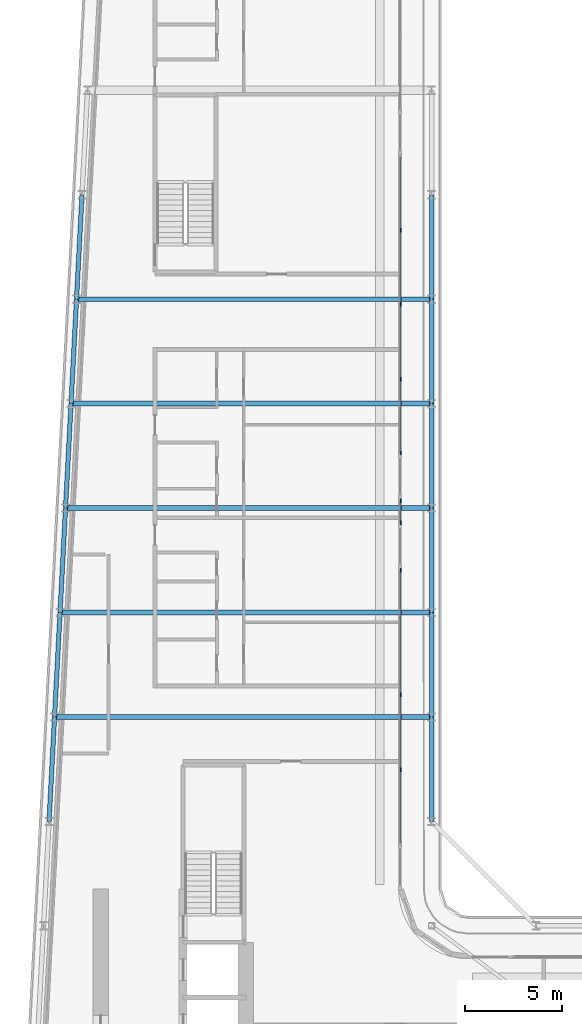
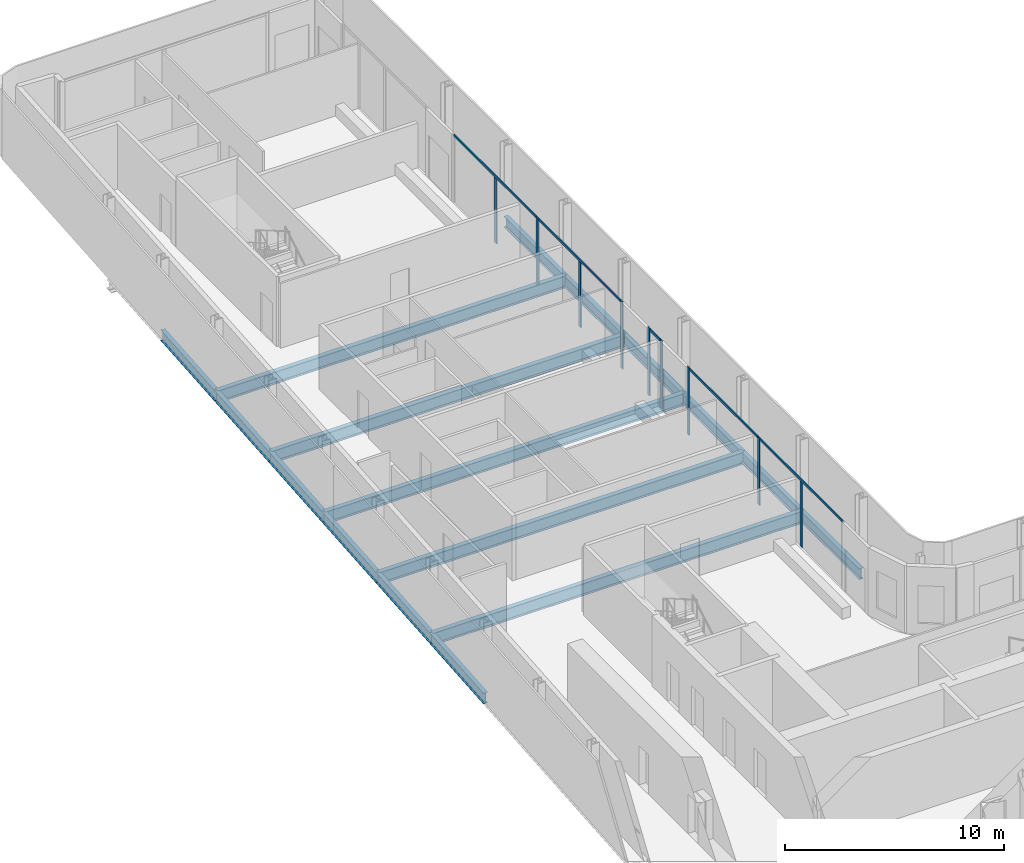
# One storey, part 7 of 27: 17 beams, 14 members, 5 elements without a shape of their own.
"""IFC4 building model written with IfcOpenShell, lengths in metres."""

import ifcopenshell
import ifcopenshell.guid

model = None  # the IFC model being written
_history = None  # IfcOwnerHistory: only IFC2X3 demands one
_inside = {}  # id of a spatial element -> (the spatial element, [elements in it])
_under = {}  # id of a project, library or spatial element -> (it, [spatial elements below it])
_declared = {}  # id of a project -> (the project, [libraries it declares])
_typed = {}  # id of a type object -> (the type object, [elements of that type])
_made_of = {}  # id of a material, layer set ... -> (it, [elements and type objects made of it])


def new_model(schema):
    """Start an empty IFC model of exactly this schema.

    Asked for "IFC4X3", IfcOpenShell would pick the latest addendum, in which some entities
    have other attributes; the version numbers below select the first issue.
    IFC2X3 requires an IfcOwnerHistory on every rooted entity: one is made here for all.
    """
    global model, _history
    if schema == "IFC4X3":
        model = ifcopenshell.file(schema_version=(4, 3, 0, 0))
    else:
        model = ifcopenshell.file(schema=schema)
    _inside.clear()
    _under.clear()
    _declared.clear()
    _typed.clear()
    _made_of.clear()
    _history = None
    if model.schema == "IFC2X3":
        org = make("IfcOrganization", Name="unknown")
        user = make(
            "IfcPersonAndOrganization",
            ThePerson=make("IfcPerson", FamilyName="unknown"),
            TheOrganization=org,
        )
        app = make(
            "IfcApplication",
            ApplicationDeveloper=org,
            Version="unknown",
            ApplicationFullName="unknown",
            ApplicationIdentifier="unknown",
        )
        _history = make(
            "IfcOwnerHistory",
            OwningUser=user,
            OwningApplication=app,
            ChangeAction="ADDED",
            CreationDate=0,
        )
    return model


def make(cls, **values):
    """One entity of the class cls with the attributes given. An attribute that is None is left unset."""
    return model.create_entity(
        cls, **{name: value for name, value in values.items() if value is not None}
    )


def rooted(cls, **values):
    """An entity with a GlobalId (a new one), such as an element, a storey or a relation."""
    return make(cls, GlobalId=ifcopenshell.guid.new(), OwnerHistory=_history, **values)


def si_unit(unit_type, name, prefix=None):
    """IfcSIUnit, for example si_unit("LENGTHUNIT", "METRE", prefix="MILLI")."""
    return make("IfcSIUnit", UnitType=unit_type, Prefix=prefix, Name=name)


def assignment(units):
    """IfcUnitAssignment: the units of a project."""
    return None if units is None else make("IfcUnitAssignment", Units=units)


def point(xyz):
    """IfcCartesianPoint."""
    return None if xyz is None else make("IfcCartesianPoint", Coordinates=xyz)


def direction(xyz):
    """IfcDirection."""
    return None if xyz is None else make("IfcDirection", DirectionRatios=xyz)


def frame(location, z_axis=None, x_axis=None):
    """IfcAxis2Placement3D, a coordinate frame: its origin and axes. An axis left out is left unset."""
    return make(
        "IfcAxis2Placement3D",
        Location=point(location),
        Axis=direction(z_axis),
        RefDirection=direction(x_axis),
    )


def frame_2d(location, x_axis=None):
    """IfcAxis2Placement2D, a coordinate frame in the plane: its origin and x axis."""
    return make(
        "IfcAxis2Placement2D", Location=point(location), RefDirection=direction(x_axis)
    )


def origin():
    """The frame at (0, 0, 0) with its axes left unset."""
    return frame((0.0, 0.0, 0.0))


def origin_2d():
    """The frame at (0, 0) in the plane with its x axis left unset."""
    return frame_2d((0.0, 0.0))


def place(relative_to, where):
    """IfcLocalPlacement: puts the frame where relative to a parent placement (None: the world)."""
    return make(
        "IfcLocalPlacement", PlacementRelTo=relative_to, RelativePlacement=where
    )


def context(
    kind, dimensions, precision=None, world=None, true_north=None, identifier=None
):
    """IfcGeometricRepresentationContext, for example the 3D "Model" context."""
    return make(
        "IfcGeometricRepresentationContext",
        ContextIdentifier=identifier,
        ContextType=kind,
        CoordinateSpaceDimension=dimensions,
        Precision=precision,
        WorldCoordinateSystem=world,
        TrueNorth=true_north,
    )


def subcontext(parent, identifier, kind, view, scale=None):
    """IfcGeometricRepresentationSubContext, for example "Body" below "Model"."""
    return make(
        "IfcGeometricRepresentationSubContext",
        ContextIdentifier=identifier,
        ContextType=kind,
        ParentContext=parent,
        TargetScale=scale,
        TargetView=view,
    )


def project(units=None, contexts=None):
    """IfcProject with its units and contexts."""
    return rooted(
        "IfcProject",
        Name="project",
        RepresentationContexts=contexts,
        UnitsInContext=assignment(units),
    )


def spatial(cls, under=None, at=None, **own):
    """A site, building, storey or space (cls), placed at a placement, below another one or the project."""
    s = rooted(cls, ObjectPlacement=at, **own)
    if under is not None:
        _under.setdefault(under.id(), (under, []))[1].append(s)
    return s


def profile(cls, at=None, kind="AREA", **sizes):
    """A parametric profile (cls). Its sizes go by their IFC names, for example OverallWidth=200.0."""
    return make(cls, ProfileType=kind, Position=at, **sizes)


def rectangle(**sizes):
    """IfcRectangleProfileDef."""
    return profile("IfcRectangleProfileDef", **sizes)


def i_section(**sizes):
    """IfcIShapeProfileDef."""
    return profile("IfcIShapeProfileDef", **sizes)


def extrude(swept, where, along, depth):
    """IfcExtrudedAreaSolid: the profile swept, set in the frame where, extruded along a direction by depth."""
    return make(
        "IfcExtrudedAreaSolid",
        SweptArea=swept,
        Position=where,
        ExtrudedDirection=direction(along),
        Depth=depth,
    )


def shape(context_of_items, identifier, shape_type, items):
    """IfcShapeRepresentation: the items that make up one representation, for example the "Body"."""
    return make(
        "IfcShapeRepresentation",
        ContextOfItems=context_of_items,
        RepresentationIdentifier=identifier,
        RepresentationType=shape_type,
        Items=items,
    )


def material(Name=None, Category=None):
    """IfcMaterial."""
    return make("IfcMaterial", Name=Name, Category=Category)


def layer(
    of_material, thickness, ventilated=None, Name=None, Category=None, Priority=None
):
    """IfcMaterialLayer: one layer of a wall or slab, of a material (None: an air gap)."""
    return make(
        "IfcMaterialLayer",
        Material=of_material,
        LayerThickness=thickness,
        IsVentilated=ventilated,
        Name=Name,
        Category=Category,
        Priority=Priority,
    )


def layer_set(layers, Name=None):
    """IfcMaterialLayerSet."""
    return make("IfcMaterialLayerSet", MaterialLayers=layers, LayerSetName=Name)


def material_profile(
    of_material, cross_section, Name=None, Category=None, Priority=None
):
    """IfcMaterialProfile: a cross section and its material."""
    return make(
        "IfcMaterialProfile",
        Name=Name,
        Material=of_material,
        Profile=cross_section,
        Priority=Priority,
        Category=Category,
    )


def profile_set(profiles, Name=None, composite=None):
    """IfcMaterialProfileSet."""
    return make(
        "IfcMaterialProfileSet",
        Name=Name,
        MaterialProfiles=profiles,
        CompositeProfile=composite,
    )


def made_of(thing, what):
    """Note that an element or type object is made of a material, layer set ...; save() writes the relation."""
    if what is not None:
        _made_of.setdefault(what.id(), (what, []))[1].append(thing)
    return thing


def type_object(cls, material=None, **own):
    """A type object (cls), such as IfcWallType, which elements share."""
    return made_of(rooted(cls, **own), material)


def element(
    cls,
    number,
    at=None,
    inside=None,
    cuts=None,
    type_object=None,
    material=None,
    context=None,
    identifier="Body",
    shape_type=None,
    held_by="IfcProductDefinitionShape",
    body=None,
    shapes=None,
    **own,
):
    """One element of the class cls, such as IfcWall. Its Tag is "e" and its number.

    at: its placement. inside: the storey or other place that contains it. cuts: it is an
    opening in that element (IfcRelVoidsElement). A single representation is given by context,
    identifier, shape_type and body (its items); several are given by shapes. held_by: the class
    of the entity that holds the representations. save() writes the other relations.
    """
    e = rooted(cls, Tag="e%d" % number, ObjectPlacement=at, **own)
    if body is not None:
        shapes = [shape(context, identifier, shape_type, body)]
    if shapes is not None:
        e.Representation = make(held_by, Representations=shapes)
    if inside is not None:
        _inside.setdefault(inside.id(), (inside, []))[1].append(e)
    if cuts is not None:
        rooted(
            "IfcRelVoidsElement", RelatingBuildingElement=cuts, RelatedOpeningElement=e
        )
    if type_object is not None:
        _typed.setdefault(type_object.id(), (type_object, []))[1].append(e)
    return made_of(e, material)


def aggregate(whole, parts):
    """IfcRelAggregates: a whole, such as a stair, and the parts it consists of."""
    return rooted("IfcRelAggregates", RelatingObject=whole, RelatedObjects=parts)


def save(model, path):
    """Write the relations noted so far, then the file.

    IfcRelAggregates (storeys below a building ...), IfcRelContainedInSpatialStructure (elements
    in a storey), IfcRelDefinesByType, IfcRelAssociatesMaterial and IfcRelDeclares: one each for
    every whole, place, type object, material and project.
    """
    for whole, parts in _under.values():
        aggregate(whole, parts)
    for where, things in _inside.values():
        rooted(
            "IfcRelContainedInSpatialStructure",
            RelatedElements=things,
            RelatingStructure=where,
        )
    for kind, things in _typed.values():
        rooted("IfcRelDefinesByType", RelatedObjects=things, RelatingType=kind)
    for what, things in _made_of.values():
        rooted("IfcRelAssociatesMaterial", RelatedObjects=things, RelatingMaterial=what)
    for by, libraries in _declared.values():
        rooted("IfcRelDeclares", RelatingContext=by, RelatedDefinitions=libraries)
    model.write(path)


model = new_model("IFC4")

# Units and contexts
model_context = context("Model", 3, precision=1e-05, world=origin(), true_north=direction((0.0, 1.0)))
body_context = subcontext(model_context, "Body", "Model", "MODEL_VIEW")
ifc_project = project(units=[si_unit("LENGTHUNIT", "METRE"), si_unit("AREAUNIT", "SQUARE_METRE"), si_unit("VOLUMEUNIT", "CUBIC_METRE"), si_unit("PLANEANGLEUNIT", "RADIAN"), si_unit("MASSUNIT", "GRAM", prefix="KILO")], contexts=[model_context])

# Site, building, storey
site_placement = place(None, origin())
site = spatial("IfcSite", under=ifc_project, at=site_placement, CompositionType="ELEMENT")
building_placement = place(site_placement, origin())
building = spatial("IfcBuilding", under=site, at=building_placement, Name="Kheshtan School and Residences Tower", CompositionType="ELEMENT")
storey_placement = place(building_placement, frame((0.0, 0.0, 152.60009765625)))
storey = spatial("IfcBuildingStorey", under=building, at=storey_placement, Name="L35", CompositionType="ELEMENT", Elevation=152.60009765625)

# Beams
ifc_material_1 = material(Name="Steel ASTM A992 Grade 50", Category="steel")
ifc_material_profile_1 = material_profile(ifc_material_1, i_section(OverallWidth=0.2529296875, OverallDepth=0.677978515625, WebThickness=0.01171875, FlangeThickness=0.016357421875, FilletRadius=0.0146484375, at=origin_2d()), Name="W690x125")
ifc_profile_set_1 = profile_set([ifc_material_profile_1], Name="Steel ASTM A992 Grade 50")
beam_type_1 = type_object("IfcBeamType", Name="Beam FB6 W690x125 ASTM A992 Grade 50", PredefinedType="BEAM", material=ifc_profile_set_1)
beam_1_placement = place(storey_placement, frame((47.60009765625, 78.0, -0.489013671875), z_axis=(-1.0, 0.0, 0.0), x_axis=(0.0, -1.0, 0.0)))
element("IfcBeam", 1, at=beam_1_placement, inside=storey, type_object=beam_type_1, Name="Floor beam C089", PredefinedType="BEAM", context=body_context, shape_type="SweptSolid", body=[
    extrude(i_section(OverallWidth=0.2529296875, OverallDepth=0.677978515625, WebThickness=0.01171875, FlangeThickness=0.016357421875, FilletRadius=0.0146484375, at=origin_2d()), origin(), (0.0, 0.0, 1.0), 18.357177734375),
])
beam_2_placement = place(storey_placement, frame((47.60009765625, 67.199951171875, -0.489013671875), z_axis=(-1.0, 0.0, 0.0), x_axis=(0.0, -1.0, 0.0)))
element("IfcBeam", 2, at=beam_2_placement, inside=storey, type_object=beam_type_1, Name="Floor beam C085", PredefinedType="BEAM", context=body_context, shape_type="SweptSolid", body=[
    extrude(i_section(OverallWidth=0.2529296875, OverallDepth=0.677978515625, WebThickness=0.01171875, FlangeThickness=0.016357421875, FilletRadius=0.0146484375, at=origin_2d()), origin(), (0.0, 0.0, 1.0), 18.926025390625),
])
beam_3_placement = place(storey_placement, frame((47.60009765625, 56.39990234375, -0.489013671875), z_axis=(-1.0, 0.0, 0.0), x_axis=(0.0, -1.0, 0.0)))
element("IfcBeam", 3, at=beam_3_placement, inside=storey, type_object=beam_type_1, Name="Floor beam C081", PredefinedType="BEAM", context=body_context, shape_type="SweptSolid", body=[
    extrude(i_section(OverallWidth=0.2529296875, OverallDepth=0.677978515625, WebThickness=0.01171875, FlangeThickness=0.016357421875, FilletRadius=0.0146484375, at=origin_2d()), origin(), (0.0, 0.0, 1.0), 19.494140625),
])
beam_4_placement = place(storey_placement, frame((28.389892578125, 61.800048828125, -0.489013671875), z_axis=(1.0, 0.0, 0.0), x_axis=(0.0, 1.0, 0.0)))
element("IfcBeam", 4, at=beam_4_placement, inside=storey, type_object=beam_type_1, Name="Floor beam C082", PredefinedType="BEAM", context=body_context, shape_type="SweptSolid", body=[
    extrude(i_section(OverallWidth=0.2529296875, OverallDepth=0.677978515625, WebThickness=0.01171875, FlangeThickness=0.016357421875, FilletRadius=0.0146484375, at=origin_2d()), origin(), (0.0, 0.0, 1.0), 19.210205078125),
])
beam_5_placement = place(storey_placement, frame((28.9580078125, 72.60009765625, -0.489013671875), z_axis=(1.0, 0.0, 0.0), x_axis=(0.0, 1.0, 0.0)))
element("IfcBeam", 5, at=beam_5_placement, inside=storey, type_object=beam_type_1, Name="Floor beam C086", PredefinedType="BEAM", context=body_context, shape_type="SweptSolid", body=[
    extrude(i_section(OverallWidth=0.2529296875, OverallDepth=0.677978515625, WebThickness=0.01171875, FlangeThickness=0.016357421875, FilletRadius=0.0146484375, at=origin_2d()), origin(), (0.0, 0.0, 1.0), 18.64208984375),
])
ifc_material_profile_2 = material_profile(ifc_material_1, i_section(OverallWidth=0.22802734375, OverallDepth=0.60302734375, WebThickness=0.010498046875, FlangeThickness=0.014892578125, FilletRadius=0.013427734375, at=origin_2d()), Name="W610x101")
ifc_profile_set_2 = profile_set([ifc_material_profile_2], Name="Steel ASTM A992 Grade 50")
beam_type_2 = type_object("IfcBeamType", Name="Beam SP2 W610x101 ASTM A992 Grade 50", PredefinedType="BEAM", material=ifc_profile_set_2)
for number, where, z_axis, x_axis, name in (
    (6, (47.60009765625, 83.39990234375, -0.45166015625), (0.0, -1.0, 0.0), (1.0, 0.0, 0.0), "Spandrel beam C091-C089"),
    (7, (47.60009765625, 78.0, -0.45166015625), (0.0, -1.0, 0.0), (1.0, 0.0, 0.0), "Spandrel beam C089-C087"),
):
    element("IfcBeam", number, at=place(storey_placement, frame(where, z_axis=z_axis, x_axis=x_axis)), inside=storey, type_object=beam_type_2, Name=name, PredefinedType="BEAM", context=body_context, shape_type="SweptSolid", body=[
        extrude(i_section(OverallWidth=0.22802734375, OverallDepth=0.60302734375, WebThickness=0.010498046875, FlangeThickness=0.014892578125, FilletRadius=0.013427734375, at=origin_2d()), origin(), (0.0, 0.0, 1.0), 5.39990234375),
    ])
beam_6_placement = place(storey_placement, frame((47.60009765625, 72.60009765625, -0.45166015625), z_axis=(0.0, -1.0, 0.0), x_axis=(1.0, 0.0, 0.0)))
element("IfcBeam", 8, at=beam_6_placement, inside=storey, type_object=beam_type_2, Name="Spandrel beam C087-C085", PredefinedType="BEAM", context=body_context, shape_type="SweptSolid", body=[
    extrude(i_section(OverallWidth=0.22802734375, OverallDepth=0.60302734375, WebThickness=0.010498046875, FlangeThickness=0.014892578125, FilletRadius=0.013427734375, at=origin_2d()), origin(), (0.0, 0.0, 1.0), 5.400146484375),
])
beam_7_placement = place(storey_placement, frame((47.60009765625, 67.199951171875, -0.45166015625), z_axis=(0.0, -1.0, 0.0), x_axis=(1.0, 0.0, 0.0)))
element("IfcBeam", 9, at=beam_7_placement, inside=storey, type_object=beam_type_2, Name="Spandrel beam C085-C083", PredefinedType="BEAM", context=body_context, shape_type="SweptSolid", body=[
    extrude(i_section(OverallWidth=0.22802734375, OverallDepth=0.60302734375, WebThickness=0.010498046875, FlangeThickness=0.014892578125, FilletRadius=0.013427734375, at=origin_2d()), origin(), (0.0, 0.0, 1.0), 5.39990234375),
])
beam_8_placement = place(storey_placement, frame((47.60009765625, 61.800048828125, -0.45166015625), z_axis=(0.0, -1.0, 0.0), x_axis=(1.0, 0.0, 0.0)))
element("IfcBeam", 10, at=beam_8_placement, inside=storey, type_object=beam_type_2, Name="Spandrel beam C083-C081", PredefinedType="BEAM", context=body_context, shape_type="SweptSolid", body=[
    extrude(i_section(OverallWidth=0.22802734375, OverallDepth=0.60302734375, WebThickness=0.010498046875, FlangeThickness=0.014892578125, FilletRadius=0.013427734375, at=origin_2d()), origin(), (0.0, 0.0, 1.0), 5.400146484375),
])
beam_9_placement = place(storey_placement, frame((47.60009765625, 56.39990234375, -0.45166015625), z_axis=(0.0, -1.0, 0.0), x_axis=(1.0, 0.0, 0.0)))
element("IfcBeam", 11, at=beam_9_placement, inside=storey, type_object=beam_type_2, Name="Spandrel beam C081-C079", PredefinedType="BEAM", context=body_context, shape_type="SweptSolid", body=[
    extrude(i_section(OverallWidth=0.22802734375, OverallDepth=0.60302734375, WebThickness=0.010498046875, FlangeThickness=0.014892578125, FilletRadius=0.013427734375, at=origin_2d()), origin(), (0.0, 0.0, 1.0), 5.39990234375),
])
beam_10_placement = place(storey_placement, frame((27.822021484375, 51.0, -0.45166015625), z_axis=(0.05250906864, 0.998620447272, 0.0), x_axis=(-0.998620447272, 0.05250906864, 0.0)))
element("IfcBeam", 12, at=beam_10_placement, inside=storey, type_object=beam_type_2, Name="Spandrel beam C078-C080", PredefinedType="BEAM", context=body_context, shape_type="SweptSolid", body=[
    extrude(i_section(OverallWidth=0.22802734375, OverallDepth=0.60302734375, WebThickness=0.010498046875, FlangeThickness=0.014892578125, FilletRadius=0.013427734375, at=origin_2d()), origin(), (0.0, 0.0, 1.0), 5.407470703125),
])
beam_11_placement = place(storey_placement, frame((28.10595703125, 56.39990234375, -0.45166015625), z_axis=(0.05250670125, 0.998620571751, 0.0), x_axis=(-0.998620571751, 0.05250670125, 0.0)))
element("IfcBeam", 13, at=beam_11_placement, inside=storey, type_object=beam_type_2, Name="Spandrel beam C080-C082", PredefinedType="BEAM", context=body_context, shape_type="SweptSolid", body=[
    extrude(i_section(OverallWidth=0.22802734375, OverallDepth=0.60302734375, WebThickness=0.010498046875, FlangeThickness=0.014892578125, FilletRadius=0.013427734375, at=origin_2d()), origin(), (0.0, 0.0, 1.0), 5.40771484375),
])
beam_12_placement = place(storey_placement, frame((28.389892578125, 61.800048828125, -0.45166015625), z_axis=(0.052554093665, 0.998618078766, 0.0), x_axis=(-0.998618078766, 0.052554093665, 0.0)))
element("IfcBeam", 14, at=beam_12_placement, inside=storey, type_object=beam_type_2, Name="Spandrel beam C082-C084", PredefinedType="BEAM", context=body_context, shape_type="SweptSolid", body=[
    extrude(i_section(OverallWidth=0.22802734375, OverallDepth=0.60302734375, WebThickness=0.010498046875, FlangeThickness=0.014892578125, FilletRadius=0.013427734375, at=origin_2d()), origin(), (0.0, 0.0, 1.0), 5.407470703125),
])
beam_13_placement = place(storey_placement, frame((28.674072265625, 67.199951171875, -0.45166015625), z_axis=(0.05250670125, 0.998620571751, 0.0), x_axis=(-0.998620571751, 0.05250670125, 0.0)))
element("IfcBeam", 15, at=beam_13_placement, inside=storey, type_object=beam_type_2, Name="Spandrel beam C084-C086", PredefinedType="BEAM", context=body_context, shape_type="SweptSolid", body=[
    extrude(i_section(OverallWidth=0.22802734375, OverallDepth=0.60302734375, WebThickness=0.010498046875, FlangeThickness=0.014892578125, FilletRadius=0.013427734375, at=origin_2d()), origin(), (0.0, 0.0, 1.0), 5.40771484375),
])
for number, where, z_axis, x_axis, name in (
    (16, (28.9580078125, 72.60009765625, -0.45166015625), (0.052689166816, 0.998610961136, 0.0), (-0.998610961136, 0.052689166816, 0.0), "Spandrel beam C086-C088"),
    (17, (29.242919921875, 78.0, -0.45166015625), (0.052554093665, 0.998618078766, 0.0), (-0.998618078766, 0.052554093665, 0.0), "Spandrel beam C088-C090"),
):
    element("IfcBeam", number, at=place(storey_placement, frame(where, z_axis=z_axis, x_axis=x_axis)), inside=storey, type_object=beam_type_2, Name=name, PredefinedType="BEAM", context=body_context, shape_type="SweptSolid", body=[
        extrude(i_section(OverallWidth=0.22802734375, OverallDepth=0.60302734375, WebThickness=0.010498046875, FlangeThickness=0.014892578125, FilletRadius=0.013427734375, at=origin_2d()), origin(), (0.0, 0.0, 1.0), 5.407470703125),
    ])

# Curtain wall, members
ifc_material_2 = material(Name="Clear low-e glass in thermally broken aluminium frame", Category="aluminium")
ifc_layer = layer(ifc_material_2, 0.199951171875)
ifc_layer_set = layer_set([ifc_layer], Name="Curtain wall CW-L")
curtain_wall_type = type_object("IfcCurtainWallType", Name="Curtain wall CW-L", PredefinedType="NOTDEFINED", material=ifc_layer_set)
curtain_wall_1_placement = place(storey_placement, origin())
curtain_wall_1 = element("IfcCurtainWall", 18, at=curtain_wall_1_placement, inside=storey, type_object=curtain_wall_type, Name="Curtain wall CWL8", PredefinedType="NOTDEFINED")
ifc_material_3 = material(Name="Thermally broken aluminium, dark bronze anodised", Category="aluminium")
ifc_material_profile_3 = material_profile(ifc_material_3, rectangle(XDim=0.06005859375, YDim=0.199951171875, at=origin_2d()), Name="CW-L mullion 60x200")
ifc_profile_set_3 = profile_set([ifc_material_profile_3], Name="Thermally broken aluminium, dark bronze anodised")
member_type_1 = type_object("IfcMemberType", Name="CW-L mullion 60x200", PredefinedType="MULLION", material=ifc_profile_set_3)
member_1_placement = place(storey_placement, frame((46.0, 81.55908203125, 0.0), z_axis=(0.0, 0.0, 1.0), x_axis=(1.0, 0.0, 0.0)))
member_1 = element("IfcMember", 19, at=member_1_placement, type_object=member_type_1, Name="CWL8 mullion 2", PredefinedType="MULLION", context=body_context, shape_type="SweptSolid", body=[
    extrude(rectangle(XDim=0.06005859375, YDim=0.199951171875, at=origin_2d()), origin(), (0.0, 0.0, 1.0), 3.6298828125),
])
member_2_placement = place(storey_placement, frame((46.0, 77.741943359375, 0.0), z_axis=(0.0, 0.0, 1.0), x_axis=(1.0, 0.0, 0.0)))
member_2 = element("IfcMember", 20, at=member_2_placement, type_object=member_type_1, Name="CWL8 mullion 3", PredefinedType="MULLION", context=body_context, shape_type="SweptSolid", body=[
    extrude(rectangle(XDim=0.06005859375, YDim=0.199951171875, at=origin_2d()), origin(), (0.0, 0.0, 1.0), 3.75),
])

curtain_wall_2_placement = place(storey_placement, origin())
curtain_wall_2 = element("IfcCurtainWall", 21, at=curtain_wall_2_placement, inside=storey, type_object=curtain_wall_type, Name="Curtain wall CWL8", PredefinedType="NOTDEFINED")
member_3_placement = place(storey_placement, frame((46.0, 73.864990234375, 0.0), z_axis=(0.0, 0.0, 1.0), x_axis=(1.0, 0.0, 0.0)))
member_3 = element("IfcMember", 22, at=member_3_placement, type_object=member_type_1, Name="CWL8 mullion 2", PredefinedType="MULLION", context=body_context, shape_type="SweptSolid", body=[
    extrude(rectangle(XDim=0.06005859375, YDim=0.199951171875, at=origin_2d()), origin(), (0.0, 0.0, 1.0), 3.6298828125),
])
member_4_placement = place(storey_placement, frame((46.0, 70.048095703125, 0.0), z_axis=(0.0, 0.0, 1.0), x_axis=(1.0, 0.0, 0.0)))
member_4 = element("IfcMember", 23, at=member_4_placement, type_object=member_type_1, Name="CWL8 mullion 3", PredefinedType="MULLION", context=body_context, shape_type="SweptSolid", body=[
    extrude(rectangle(XDim=0.06005859375, YDim=0.199951171875, at=origin_2d()), origin(), (0.0, 0.0, 1.0), 3.75),
])

curtain_wall_3_placement = place(storey_placement, origin())
curtain_wall_3 = element("IfcCurtainWall", 24, at=curtain_wall_3_placement, inside=storey, type_object=curtain_wall_type, Name="Curtain wall CWL8g", PredefinedType="NOTDEFINED")
member_5_placement = place(storey_placement, frame((46.0, 67.587890625, 0.0), z_axis=(0.0, 0.0, 1.0), x_axis=(1.0, 0.0, 0.0)))
member_5 = element("IfcMember", 25, at=member_5_placement, type_object=member_type_1, Name="CWL8g mullion 1", PredefinedType="MULLION", context=body_context, shape_type="SweptSolid", body=[
    extrude(rectangle(XDim=0.06005859375, YDim=0.199951171875, at=origin_2d()), origin(), (0.0, 0.0, 1.0), 3.75),
])
member_6_placement = place(storey_placement, frame((46.0, 66.447998046875, 0.0), z_axis=(0.0, 0.0, 1.0), x_axis=(1.0, 0.0, 0.0)))
member_6 = element("IfcMember", 26, at=member_6_placement, type_object=member_type_1, Name="CWL8g mullion 2", PredefinedType="MULLION", context=body_context, shape_type="SweptSolid", body=[
    extrude(rectangle(XDim=0.06005859375, YDim=0.199951171875, at=origin_2d()), origin(), (0.0, 0.0, 1.0), 3.75),
])

curtain_wall_4_placement = place(storey_placement, origin())
curtain_wall_4 = element("IfcCurtainWall", 27, at=curtain_wall_4_placement, inside=storey, type_object=curtain_wall_type, Name="Curtain wall CWL8h", PredefinedType="NOTDEFINED")
member_7_placement = place(storey_placement, frame((46.0, 63.988037109375, 0.0), z_axis=(0.0, 0.0, 1.0), x_axis=(1.0, 0.0, 0.0)))
member_7 = element("IfcMember", 28, at=member_7_placement, type_object=member_type_1, Name="CWL8h mullion 1", PredefinedType="MULLION", context=body_context, shape_type="SweptSolid", body=[
    extrude(rectangle(XDim=0.06005859375, YDim=0.199951171875, at=origin_2d()), origin(), (0.0, 0.0, 1.0), 3.75),
])
member_8_placement = place(storey_placement, frame((46.0, 57.553955078125, 0.0), z_axis=(0.0, 0.0, 1.0), x_axis=(1.0, 0.0, 0.0)))
member_8 = element("IfcMember", 29, at=member_8_placement, type_object=member_type_1, Name="CWL8h mullion 2", PredefinedType="MULLION", context=body_context, shape_type="SweptSolid", body=[
    extrude(rectangle(XDim=0.06005859375, YDim=0.199951171875, at=origin_2d()), origin(), (0.0, 0.0, 1.0), 3.75),
])

# Curtain wall, member
curtain_wall_5_placement = place(storey_placement, origin())
curtain_wall_5 = element("IfcCurtainWall", 30, at=curtain_wall_5_placement, inside=storey, type_object=curtain_wall_type, Name="Curtain wall CWL8", PredefinedType="NOTDEFINED")
member_9_placement = place(storey_placement, frame((46.0, 53.677001953125, 0.0), z_axis=(0.0, 0.0, 1.0), x_axis=(1.0, 0.0, 0.0)))
member_9 = element("IfcMember", 31, at=member_9_placement, type_object=member_type_1, Name="CWL8 mullion 2", PredefinedType="MULLION", context=body_context, shape_type="SweptSolid", body=[
    extrude(rectangle(XDim=0.06005859375, YDim=0.199951171875, at=origin_2d()), origin(), (0.0, 0.0, 1.0), 3.6298828125),
])

# Member
ifc_material_profile_4 = material_profile(ifc_material_3, rectangle(XDim=0.06005859375, YDim=0.1201171875, at=origin_2d()), Name="CW-L transom 60x120")
ifc_profile_set_4 = profile_set([ifc_material_profile_4], Name="Thermally broken aluminium, dark bronze anodised")
member_type_2 = type_object("IfcMemberType", Name="CW-L transom 60x120", PredefinedType="USERDEFINED", material=ifc_profile_set_4)
member_10_placement = place(storey_placement, frame((46.0, 85.345947265625, 3.68994140625), z_axis=(0.0, -1.0, 0.0), x_axis=(1.0, 0.0, 0.0)))
member_10 = element("IfcMember", 32, at=member_10_placement, type_object=member_type_2, Name="CWL8 transom 1", ObjectType="TRANSOM", PredefinedType="USERDEFINED", context=body_context, shape_type="SweptSolid", body=[
    extrude(rectangle(XDim=0.06005859375, YDim=0.1201171875, at=origin_2d()), origin(), (0.0, 0.0, 1.0), 7.573974609375),
])

aggregate(curtain_wall_1, [member_1, member_2, member_10])

member_11_placement = place(storey_placement, frame((46.0, 77.7119140625, 3.68994140625), z_axis=(0.0, -1.0, 0.0), x_axis=(1.0, 0.0, 0.0)))
member_11 = element("IfcMember", 33, at=member_11_placement, type_object=member_type_2, Name="CWL8 transom 1", ObjectType="TRANSOM", PredefinedType="USERDEFINED", context=body_context, shape_type="SweptSolid", body=[
    extrude(rectangle(XDim=0.06005859375, YDim=0.1201171875, at=origin_2d()), origin(), (0.0, 0.0, 1.0), 7.634033203125),
])

aggregate(curtain_wall_2, [member_3, member_4, member_11])

member_12_placement = place(storey_placement, frame((46.0, 67.55810546875, 3.68994140625), z_axis=(0.0, -1.0, 0.0), x_axis=(1.0, 0.0, 0.0)))
member_12 = element("IfcMember", 34, at=member_12_placement, type_object=member_type_2, Name="CWL8g transom 1", ObjectType="TRANSOM", PredefinedType="USERDEFINED", context=body_context, shape_type="SweptSolid", body=[
    extrude(rectangle(XDim=0.06005859375, YDim=0.1201171875, at=origin_2d()), origin(), (0.0, 0.0, 1.0), 1.080078125),
])

aggregate(curtain_wall_3, [member_5, member_6, member_12])

member_13_placement = place(storey_placement, frame((46.0, 63.9580078125, 3.68994140625), z_axis=(0.0, -1.0, 0.0), x_axis=(1.0, 0.0, 0.0)))
member_13 = element("IfcMember", 35, at=member_13_placement, type_object=member_type_2, Name="CWL8h transom 1", ObjectType="TRANSOM", PredefinedType="USERDEFINED", context=body_context, shape_type="SweptSolid", body=[
    extrude(rectangle(XDim=0.06005859375, YDim=0.1201171875, at=origin_2d()), origin(), (0.0, 0.0, 1.0), 6.3740234375),
])

aggregate(curtain_wall_4, [member_7, member_8, member_13])

member_14_placement = place(storey_placement, frame((46.0, 57.52392578125, 3.68994140625), z_axis=(0.0, -1.0, 0.0), x_axis=(1.0, 0.0, 0.0)))
member_14 = element("IfcMember", 36, at=member_14_placement, type_object=member_type_2, Name="CWL8 transom 1", ObjectType="TRANSOM", PredefinedType="USERDEFINED", context=body_context, shape_type="SweptSolid", body=[
    extrude(rectangle(XDim=0.06005859375, YDim=0.1201171875, at=origin_2d()), origin(), (0.0, 0.0, 1.0), 7.634033203125),
])

aggregate(curtain_wall_5, [member_9, member_14])

save(model, "model.ifc")
